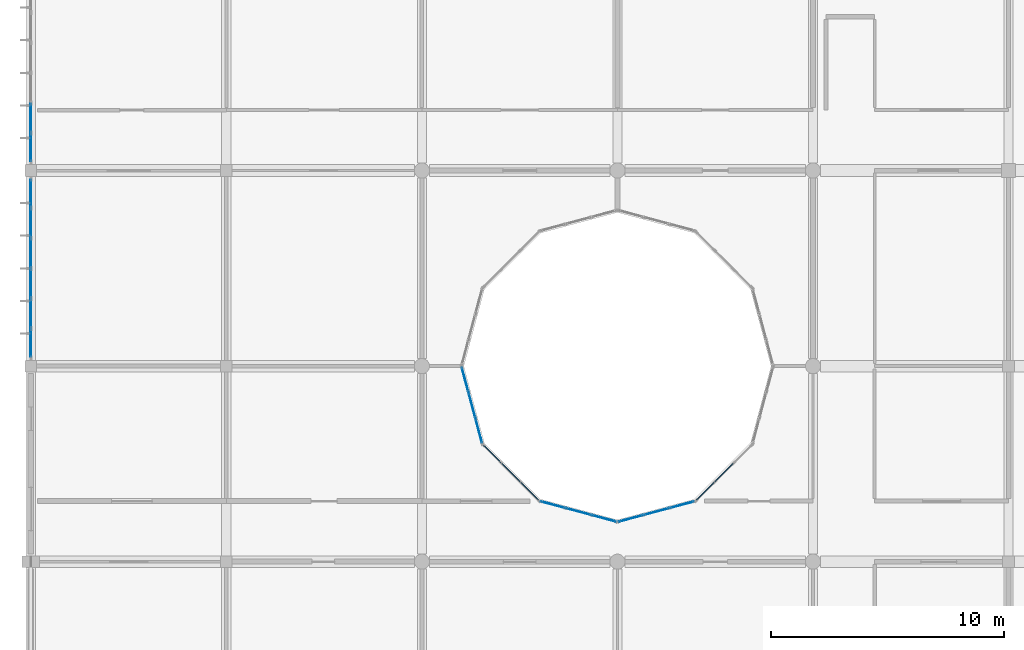
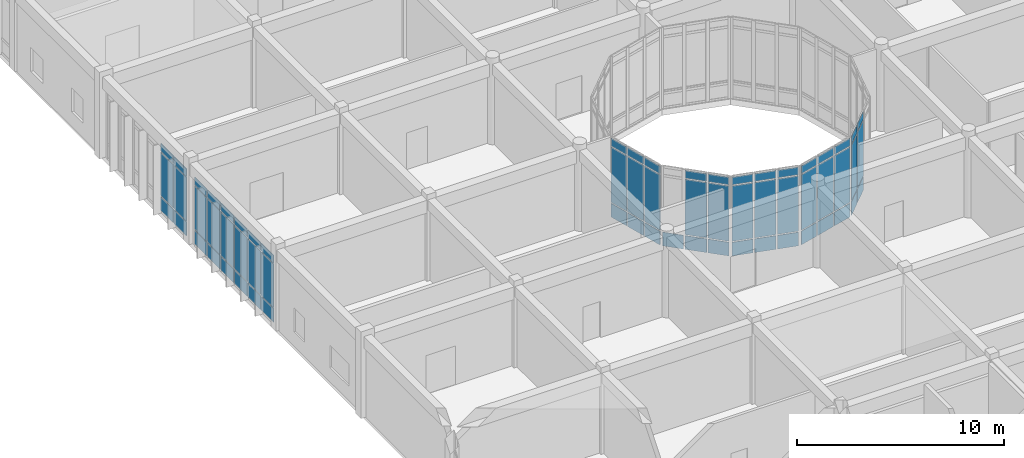
# One storey, part 74 of 134: 64 plates, 7 elements without a shape of their own.
"""IFC4 building model written with IfcOpenShell, lengths in metres."""

import ifcopenshell
import ifcopenshell.guid

model = None  # the IFC model being written
_history = None  # IfcOwnerHistory: only IFC2X3 demands one
_inside = {}  # id of a spatial element -> (the spatial element, [elements in it])
_under = {}  # id of a project, library or spatial element -> (it, [spatial elements below it])
_declared = {}  # id of a project -> (the project, [libraries it declares])
_typed = {}  # id of a type object -> (the type object, [elements of that type])
_made_of = {}  # id of a material, layer set ... -> (it, [elements and type objects made of it])


def new_model(schema):
    """Start an empty IFC model of exactly this schema.

    Asked for "IFC4X3", IfcOpenShell would pick the latest addendum, in which some entities
    have other attributes; the version numbers below select the first issue.
    IFC2X3 requires an IfcOwnerHistory on every rooted entity: one is made here for all.
    """
    global model, _history
    if schema == "IFC4X3":
        model = ifcopenshell.file(schema_version=(4, 3, 0, 0))
    else:
        model = ifcopenshell.file(schema=schema)
    _inside.clear()
    _under.clear()
    _declared.clear()
    _typed.clear()
    _made_of.clear()
    _history = None
    if model.schema == "IFC2X3":
        org = make("IfcOrganization", Name="unknown")
        user = make(
            "IfcPersonAndOrganization",
            ThePerson=make("IfcPerson", FamilyName="unknown"),
            TheOrganization=org,
        )
        app = make(
            "IfcApplication",
            ApplicationDeveloper=org,
            Version="unknown",
            ApplicationFullName="unknown",
            ApplicationIdentifier="unknown",
        )
        _history = make(
            "IfcOwnerHistory",
            OwningUser=user,
            OwningApplication=app,
            ChangeAction="ADDED",
            CreationDate=0,
        )
    return model


def make(cls, **values):
    """One entity of the class cls with the attributes given. An attribute that is None is left unset."""
    return model.create_entity(
        cls, **{name: value for name, value in values.items() if value is not None}
    )


def rooted(cls, **values):
    """An entity with a GlobalId (a new one), such as an element, a storey or a relation."""
    return make(cls, GlobalId=ifcopenshell.guid.new(), OwnerHistory=_history, **values)


def si_unit(unit_type, name, prefix=None):
    """IfcSIUnit, for example si_unit("LENGTHUNIT", "METRE", prefix="MILLI")."""
    return make("IfcSIUnit", UnitType=unit_type, Prefix=prefix, Name=name)


def assignment(units):
    """IfcUnitAssignment: the units of a project."""
    return None if units is None else make("IfcUnitAssignment", Units=units)


def point(xyz):
    """IfcCartesianPoint."""
    return None if xyz is None else make("IfcCartesianPoint", Coordinates=xyz)


def direction(xyz):
    """IfcDirection."""
    return None if xyz is None else make("IfcDirection", DirectionRatios=xyz)


def frame(location, z_axis=None, x_axis=None):
    """IfcAxis2Placement3D, a coordinate frame: its origin and axes. An axis left out is left unset."""
    return make(
        "IfcAxis2Placement3D",
        Location=point(location),
        Axis=direction(z_axis),
        RefDirection=direction(x_axis),
    )


def frame_2d(location, x_axis=None):
    """IfcAxis2Placement2D, a coordinate frame in the plane: its origin and x axis."""
    return make(
        "IfcAxis2Placement2D", Location=point(location), RefDirection=direction(x_axis)
    )


def origin():
    """The frame at (0, 0, 0) with its axes left unset."""
    return frame((0.0, 0.0, 0.0))


def origin_2d():
    """The frame at (0, 0) in the plane with its x axis left unset."""
    return frame_2d((0.0, 0.0))


def place(relative_to, where):
    """IfcLocalPlacement: puts the frame where relative to a parent placement (None: the world)."""
    return make(
        "IfcLocalPlacement", PlacementRelTo=relative_to, RelativePlacement=where
    )


def context(
    kind, dimensions, precision=None, world=None, true_north=None, identifier=None
):
    """IfcGeometricRepresentationContext, for example the 3D "Model" context."""
    return make(
        "IfcGeometricRepresentationContext",
        ContextIdentifier=identifier,
        ContextType=kind,
        CoordinateSpaceDimension=dimensions,
        Precision=precision,
        WorldCoordinateSystem=world,
        TrueNorth=true_north,
    )


def subcontext(parent, identifier, kind, view, scale=None):
    """IfcGeometricRepresentationSubContext, for example "Body" below "Model"."""
    return make(
        "IfcGeometricRepresentationSubContext",
        ContextIdentifier=identifier,
        ContextType=kind,
        ParentContext=parent,
        TargetScale=scale,
        TargetView=view,
    )


def project(units=None, contexts=None):
    """IfcProject with its units and contexts."""
    return rooted(
        "IfcProject",
        Name="project",
        RepresentationContexts=contexts,
        UnitsInContext=assignment(units),
    )


def spatial(cls, under=None, at=None, **own):
    """A site, building, storey or space (cls), placed at a placement, below another one or the project."""
    s = rooted(cls, ObjectPlacement=at, **own)
    if under is not None:
        _under.setdefault(under.id(), (under, []))[1].append(s)
    return s


def profile(cls, at=None, kind="AREA", **sizes):
    """A parametric profile (cls). Its sizes go by their IFC names, for example OverallWidth=200.0."""
    return make(cls, ProfileType=kind, Position=at, **sizes)


def rectangle(**sizes):
    """IfcRectangleProfileDef."""
    return profile("IfcRectangleProfileDef", **sizes)


def extrude(swept, where, along, depth):
    """IfcExtrudedAreaSolid: the profile swept, set in the frame where, extruded along a direction by depth."""
    return make(
        "IfcExtrudedAreaSolid",
        SweptArea=swept,
        Position=where,
        ExtrudedDirection=direction(along),
        Depth=depth,
    )


def shape(context_of_items, identifier, shape_type, items):
    """IfcShapeRepresentation: the items that make up one representation, for example the "Body"."""
    return make(
        "IfcShapeRepresentation",
        ContextOfItems=context_of_items,
        RepresentationIdentifier=identifier,
        RepresentationType=shape_type,
        Items=items,
    )


def material(Name=None, Category=None):
    """IfcMaterial."""
    return make("IfcMaterial", Name=Name, Category=Category)


def layer(
    of_material, thickness, ventilated=None, Name=None, Category=None, Priority=None
):
    """IfcMaterialLayer: one layer of a wall or slab, of a material (None: an air gap)."""
    return make(
        "IfcMaterialLayer",
        Material=of_material,
        LayerThickness=thickness,
        IsVentilated=ventilated,
        Name=Name,
        Category=Category,
        Priority=Priority,
    )


def layer_set(layers, Name=None):
    """IfcMaterialLayerSet."""
    return make("IfcMaterialLayerSet", MaterialLayers=layers, LayerSetName=Name)


def made_of(thing, what):
    """Note that an element or type object is made of a material, layer set ...; save() writes the relation."""
    if what is not None:
        _made_of.setdefault(what.id(), (what, []))[1].append(thing)
    return thing


def type_object(cls, material=None, **own):
    """A type object (cls), such as IfcWallType, which elements share."""
    return made_of(rooted(cls, **own), material)


def element(
    cls,
    number,
    at=None,
    inside=None,
    cuts=None,
    type_object=None,
    material=None,
    context=None,
    identifier="Body",
    shape_type=None,
    held_by="IfcProductDefinitionShape",
    body=None,
    shapes=None,
    **own,
):
    """One element of the class cls, such as IfcWall. Its Tag is "e" and its number.

    at: its placement. inside: the storey or other place that contains it. cuts: it is an
    opening in that element (IfcRelVoidsElement). A single representation is given by context,
    identifier, shape_type and body (its items); several are given by shapes. held_by: the class
    of the entity that holds the representations. save() writes the other relations.
    """
    e = rooted(cls, Tag="e%d" % number, ObjectPlacement=at, **own)
    if body is not None:
        shapes = [shape(context, identifier, shape_type, body)]
    if shapes is not None:
        e.Representation = make(held_by, Representations=shapes)
    if inside is not None:
        _inside.setdefault(inside.id(), (inside, []))[1].append(e)
    if cuts is not None:
        rooted(
            "IfcRelVoidsElement", RelatingBuildingElement=cuts, RelatedOpeningElement=e
        )
    if type_object is not None:
        _typed.setdefault(type_object.id(), (type_object, []))[1].append(e)
    return made_of(e, material)


def aggregate(whole, parts):
    """IfcRelAggregates: a whole, such as a stair, and the parts it consists of."""
    return rooted("IfcRelAggregates", RelatingObject=whole, RelatedObjects=parts)


def save(model, path):
    """Write the relations noted so far, then the file.

    IfcRelAggregates (storeys below a building ...), IfcRelContainedInSpatialStructure (elements
    in a storey), IfcRelDefinesByType, IfcRelAssociatesMaterial and IfcRelDeclares: one each for
    every whole, place, type object, material and project.
    """
    for whole, parts in _under.values():
        aggregate(whole, parts)
    for where, things in _inside.values():
        rooted(
            "IfcRelContainedInSpatialStructure",
            RelatedElements=things,
            RelatingStructure=where,
        )
    for kind, things in _typed.values():
        rooted("IfcRelDefinesByType", RelatedObjects=things, RelatingType=kind)
    for what, things in _made_of.values():
        rooted("IfcRelAssociatesMaterial", RelatedObjects=things, RelatingMaterial=what)
    for by, libraries in _declared.values():
        rooted("IfcRelDeclares", RelatingContext=by, RelatedDefinitions=libraries)
    model.write(path)


model = new_model("IFC4")

# Units and contexts
model_context = context("Model", 3, precision=1e-05, world=origin(), true_north=direction((0.0, 1.0)))
body_context = subcontext(model_context, "Body", "Model", "MODEL_VIEW")
ifc_project = project(units=[si_unit("LENGTHUNIT", "METRE"), si_unit("AREAUNIT", "SQUARE_METRE"), si_unit("VOLUMEUNIT", "CUBIC_METRE"), si_unit("PLANEANGLEUNIT", "RADIAN"), si_unit("MASSUNIT", "GRAM", prefix="KILO")], contexts=[model_context])

# Site, building, storey
site_placement = place(None, origin())
site = spatial("IfcSite", under=ifc_project, at=site_placement, CompositionType="ELEMENT")
building_placement = place(site_placement, origin())
building = spatial("IfcBuilding", under=site, at=building_placement, Name="Bramfleet General Hospital", CompositionType="ELEMENT")
storey_placement = place(building_placement, frame((0.0, 0.0, 9.300048828125)))
storey = spatial("IfcBuildingStorey", under=building, at=storey_placement, Name="L02", CompositionType="ELEMENT", Elevation=9.300048828125)

# Curtain wall, plates
ifc_material_1 = material(Name="Anodised aluminium and low-E triple glazing", Category="aluminium")
ifc_layer_1 = layer(ifc_material_1, 0.179931640625, Name="CWT-CW-13")
ifc_layer_set_1 = layer_set([ifc_layer_1], Name="Anodised aluminium and low-E triple glazing")
curtain_wall_type_1 = type_object("IfcCurtainWallType", Name="CWT-CW-13", PredefinedType="USERDEFINED", material=ifc_layer_set_1)
curtain_wall_1_placement = place(storey_placement, origin())
curtain_wall_1 = element("IfcCurtainWall", 1, at=curtain_wall_1_placement, inside=storey, type_object=curtain_wall_type_1, Name="L02 West Clinical Light Court Curtain Wall 1.1", ObjectType="Stick curtain wall", PredefinedType="USERDEFINED")
ifc_material_2 = material(Name="Low-E laminated safety glass", Category="glass")
ifc_layer_2 = layer(ifc_material_2, 0.031982421875, Name="CWP-GLZ-2")
ifc_layer_set_2 = layer_set([ifc_layer_2], Name="Low-E laminated safety glass")
plate_type_1 = type_object("IfcPlateType", Name="CWP-GLZ-2", PredefinedType="CURTAIN_PANEL", material=ifc_layer_set_2)
plate_1_placement = place(storey_placement, frame((18.654296875, 83.4248046875, 0.06494140625), z_axis=(0.0, 0.0, 1.0), x_axis=(0.25891863407, -0.965899136003, 0.0)))
plate_1 = element("IfcPlate", 2, at=plate_1_placement, type_object=plate_type_1, Name="CW-13 panel 1.1", PredefinedType="CURTAIN_PANEL", context=body_context, shape_type="SweptSolid", body=[
    extrude(rectangle(XDim=1.051025390625, YDim=0.031982421875, at=origin_2d()), origin(), (0.0, 0.0, 1.0), 0.802490234375),
])
plate_2_placement = place(storey_placement, frame((18.654296875, 83.4248046875, 0.9326171875), z_axis=(0.0, 0.0, 1.0), x_axis=(0.25891863407, -0.965899136003, 0.0)))
plate_2 = element("IfcPlate", 3, at=plate_2_placement, type_object=plate_type_1, Name="CW-13 panel 1.2", PredefinedType="CURTAIN_PANEL", context=body_context, shape_type="SweptSolid", body=[
    extrude(rectangle(XDim=1.051025390625, YDim=0.031982421875, at=origin_2d()), origin(), (0.0, 0.0, 1.0), 3.2548828125),
])
plate_3_placement = place(storey_placement, frame((18.654296875, 83.4248046875, 4.25244140625), z_axis=(0.0, 0.0, 1.0), x_axis=(0.25891863407, -0.965899136003, 0.0)))
plate_3 = element("IfcPlate", 4, at=plate_3_placement, type_object=plate_type_1, Name="CW-13 panel 1.3", PredefinedType="CURTAIN_PANEL", context=body_context, shape_type="SweptSolid", body=[
    extrude(rectangle(XDim=1.051025390625, YDim=0.031982421875, at=origin_2d()), origin(), (0.0, 0.0, 1.0), 0.452392578125),
])
plate_4_placement = place(storey_placement, frame((18.948974609375, 82.324951171875, 0.06494140625), z_axis=(0.0, 0.0, 1.0), x_axis=(0.25891863407, -0.965899136003, 0.0)))
plate_4 = element("IfcPlate", 5, at=plate_4_placement, type_object=plate_type_1, Name="CW-13 panel 2.1", PredefinedType="CURTAIN_PANEL", context=body_context, shape_type="SweptSolid", body=[
    extrude(rectangle(XDim=1.086181640625, YDim=0.031982421875, at=origin_2d()), origin(), (0.0, 0.0, 1.0), 0.802490234375),
])
plate_5_placement = place(storey_placement, frame((18.948974609375, 82.324951171875, 0.9326171875), z_axis=(0.0, 0.0, 1.0), x_axis=(0.25891863407, -0.965899136003, 0.0)))
plate_5 = element("IfcPlate", 6, at=plate_5_placement, type_object=plate_type_1, Name="CW-13 panel 2.2", PredefinedType="CURTAIN_PANEL", context=body_context, shape_type="SweptSolid", body=[
    extrude(rectangle(XDim=1.086181640625, YDim=0.031982421875, at=origin_2d()), origin(), (0.0, 0.0, 1.0), 3.2548828125),
])
plate_6_placement = place(storey_placement, frame((18.948974609375, 82.324951171875, 4.25244140625), z_axis=(0.0, 0.0, 1.0), x_axis=(0.25891863407, -0.965899136003, 0.0)))
plate_6 = element("IfcPlate", 7, at=plate_6_placement, type_object=plate_type_1, Name="CW-13 panel 2.3", PredefinedType="CURTAIN_PANEL", context=body_context, shape_type="SweptSolid", body=[
    extrude(rectangle(XDim=1.086181640625, YDim=0.031982421875, at=origin_2d()), origin(), (0.0, 0.0, 1.0), 0.452392578125),
])
plate_7_placement = place(storey_placement, frame((19.243896484375, 81.225341796875, 0.06494140625), z_axis=(0.0, 0.0, 1.0), x_axis=(0.25891863407, -0.965899136003, 0.0)))
plate_7 = element("IfcPlate", 8, at=plate_7_placement, type_object=plate_type_1, Name="CW-13 panel 3.1", PredefinedType="CURTAIN_PANEL", context=body_context, shape_type="SweptSolid", body=[
    extrude(rectangle(XDim=1.051025390625, YDim=0.031982421875, at=origin_2d()), origin(), (0.0, 0.0, 1.0), 0.802490234375),
])
plate_8_placement = place(storey_placement, frame((19.243896484375, 81.225341796875, 0.9326171875), z_axis=(0.0, 0.0, 1.0), x_axis=(0.25891863407, -0.965899136003, 0.0)))
plate_8 = element("IfcPlate", 9, at=plate_8_placement, type_object=plate_type_1, Name="CW-13 panel 3.2", PredefinedType="CURTAIN_PANEL", context=body_context, shape_type="SweptSolid", body=[
    extrude(rectangle(XDim=1.051025390625, YDim=0.031982421875, at=origin_2d()), origin(), (0.0, 0.0, 1.0), 3.2548828125),
])
plate_9_placement = place(storey_placement, frame((19.243896484375, 81.225341796875, 4.25244140625), z_axis=(0.0, 0.0, 1.0), x_axis=(0.25891863407, -0.965899136003, 0.0)))
plate_9 = element("IfcPlate", 10, at=plate_9_placement, type_object=plate_type_1, Name="CW-13 panel 3.3", PredefinedType="CURTAIN_PANEL", context=body_context, shape_type="SweptSolid", body=[
    extrude(rectangle(XDim=1.051025390625, YDim=0.031982421875, at=origin_2d()), origin(), (0.0, 0.0, 1.0), 0.452392578125),
])
aggregate(curtain_wall_1, [plate_1, plate_2, plate_3, plate_4, plate_5, plate_6, plate_7, plate_8, plate_9])

ifc_layer_3 = layer(ifc_material_1, 0.179931640625, Name="CWT-CW-14")
ifc_layer_set_3 = layer_set([ifc_layer_3], Name="Anodised aluminium and low-E triple glazing")
curtain_wall_type_2 = type_object("IfcCurtainWallType", Name="CWT-CW-14", PredefinedType="USERDEFINED", material=ifc_layer_set_3)
curtain_wall_2_placement = place(storey_placement, origin())
curtain_wall_2 = element("IfcCurtainWall", 11, at=curtain_wall_2_placement, inside=storey, type_object=curtain_wall_type_2, Name="L02 West Clinical Light Court Curtain Wall 2.1", ObjectType="Stick curtain wall", PredefinedType="USERDEFINED")
plate_10_placement = place(storey_placement, frame((19.819091796875, 80.22900390625, 0.06494140625), z_axis=(0.0, 0.0, 1.0), x_axis=(0.707106781187, -0.707106781187, 0.0)))
plate_10 = element("IfcPlate", 12, at=plate_10_placement, type_object=plate_type_1, Name="CW-14 panel 1.1", PredefinedType="CURTAIN_PANEL", context=body_context, shape_type="SweptSolid", body=[
    extrude(rectangle(XDim=1.05078125, YDim=0.031982421875, at=origin_2d()), origin(), (0.0, 0.0, 1.0), 0.802490234375),
])
plate_11_placement = place(storey_placement, frame((20.6240234375, 79.424072265625, 0.06494140625), z_axis=(0.0, 0.0, 1.0), x_axis=(0.707106781187, -0.707106781187, 0.0)))
plate_11 = element("IfcPlate", 13, at=plate_11_placement, type_object=plate_type_1, Name="CW-14 panel 2.1", PredefinedType="CURTAIN_PANEL", context=body_context, shape_type="SweptSolid", body=[
    extrude(rectangle(XDim=1.0859375, YDim=0.031982421875, at=origin_2d()), origin(), (0.0, 0.0, 1.0), 0.802490234375),
])
plate_12_placement = place(storey_placement, frame((20.6240234375, 79.424072265625, 0.9326171875), z_axis=(0.0, 0.0, 1.0), x_axis=(0.707106781187, -0.707106781187, 0.0)))
plate_12 = element("IfcPlate", 14, at=plate_12_placement, type_object=plate_type_1, Name="CW-14 panel 2.2", PredefinedType="CURTAIN_PANEL", context=body_context, shape_type="SweptSolid", body=[
    extrude(rectangle(XDim=1.0859375, YDim=0.031982421875, at=origin_2d()), origin(), (0.0, 0.0, 1.0), 3.2548828125),
])
plate_13_placement = place(storey_placement, frame((20.6240234375, 79.424072265625, 4.25244140625), z_axis=(0.0, 0.0, 1.0), x_axis=(0.707106781187, -0.707106781187, 0.0)))
plate_13 = element("IfcPlate", 15, at=plate_13_placement, type_object=plate_type_1, Name="CW-14 panel 2.3", PredefinedType="CURTAIN_PANEL", context=body_context, shape_type="SweptSolid", body=[
    extrude(rectangle(XDim=1.0859375, YDim=0.031982421875, at=origin_2d()), origin(), (0.0, 0.0, 1.0), 0.452392578125),
])
plate_14_placement = place(storey_placement, frame((21.428955078125, 78.619140625, 0.06494140625), z_axis=(0.0, 0.0, 1.0), x_axis=(0.707106781187, -0.707106781187, 0.0)))
plate_14 = element("IfcPlate", 16, at=plate_14_placement, type_object=plate_type_1, Name="CW-14 panel 3.1", PredefinedType="CURTAIN_PANEL", context=body_context, shape_type="SweptSolid", body=[
    extrude(rectangle(XDim=1.05078125, YDim=0.031982421875, at=origin_2d()), origin(), (0.0, 0.0, 1.0), 0.802490234375),
])
plate_15_placement = place(storey_placement, frame((21.428955078125, 78.619140625, 0.9326171875), z_axis=(0.0, 0.0, 1.0), x_axis=(0.707106781187, -0.707106781187, 0.0)))
plate_15 = element("IfcPlate", 17, at=plate_15_placement, type_object=plate_type_1, Name="CW-14 panel 3.2", PredefinedType="CURTAIN_PANEL", context=body_context, shape_type="SweptSolid", body=[
    extrude(rectangle(XDim=1.05078125, YDim=0.031982421875, at=origin_2d()), origin(), (0.0, 0.0, 1.0), 3.2548828125),
])
plate_16_placement = place(storey_placement, frame((21.428955078125, 78.619140625, 4.25244140625), z_axis=(0.0, 0.0, 1.0), x_axis=(0.707106781187, -0.707106781187, 0.0)))
plate_16 = element("IfcPlate", 18, at=plate_16_placement, type_object=plate_type_1, Name="CW-14 panel 3.3", PredefinedType="CURTAIN_PANEL", context=body_context, shape_type="SweptSolid", body=[
    extrude(rectangle(XDim=1.05078125, YDim=0.031982421875, at=origin_2d()), origin(), (0.0, 0.0, 1.0), 0.452392578125),
])
aggregate(curtain_wall_2, [plate_10, plate_11, plate_12, plate_13, plate_14, plate_15, plate_16])

ifc_layer_4 = layer(ifc_material_1, 0.179931640625, Name="CWT-CW-15")
ifc_layer_set_4 = layer_set([ifc_layer_4], Name="Anodised aluminium and low-E triple glazing")
curtain_wall_type_3 = type_object("IfcCurtainWallType", Name="CWT-CW-15", PredefinedType="USERDEFINED", material=ifc_layer_set_4)
curtain_wall_3_placement = place(storey_placement, origin())
curtain_wall_3 = element("IfcCurtainWall", 19, at=curtain_wall_3_placement, inside=storey, type_object=curtain_wall_type_3, Name="L02 West Clinical Light Court Curtain Wall 3.1", ObjectType="Stick curtain wall", PredefinedType="USERDEFINED")
plate_17_placement = place(storey_placement, frame((22.42529296875, 78.043701171875, 0.06494140625), z_axis=(0.0, 0.0, 1.0), x_axis=(0.965899136003, -0.25891863407, 0.0)))
plate_17 = element("IfcPlate", 20, at=plate_17_placement, type_object=plate_type_1, Name="CW-15 panel 1.1", PredefinedType="CURTAIN_PANEL", context=body_context, shape_type="SweptSolid", body=[
    extrude(rectangle(XDim=1.051025390625, YDim=0.031982421875, at=origin_2d()), origin(), (0.0, 0.0, 1.0), 0.802490234375),
])
plate_18_placement = place(storey_placement, frame((22.42529296875, 78.043701171875, 0.9326171875), z_axis=(0.0, 0.0, 1.0), x_axis=(0.965899136003, -0.25891863407, 0.0)))
plate_18 = element("IfcPlate", 21, at=plate_18_placement, type_object=plate_type_1, Name="CW-15 panel 1.2", PredefinedType="CURTAIN_PANEL", context=body_context, shape_type="SweptSolid", body=[
    extrude(rectangle(XDim=1.051025390625, YDim=0.031982421875, at=origin_2d()), origin(), (0.0, 0.0, 1.0), 3.2548828125),
])
plate_19_placement = place(storey_placement, frame((22.42529296875, 78.043701171875, 4.25244140625), z_axis=(0.0, 0.0, 1.0), x_axis=(0.965899136003, -0.25891863407, 0.0)))
plate_19 = element("IfcPlate", 22, at=plate_19_placement, type_object=plate_type_1, Name="CW-15 panel 1.3", PredefinedType="CURTAIN_PANEL", context=body_context, shape_type="SweptSolid", body=[
    extrude(rectangle(XDim=1.051025390625, YDim=0.031982421875, at=origin_2d()), origin(), (0.0, 0.0, 1.0), 0.452392578125),
])
plate_20_placement = place(storey_placement, frame((23.52490234375, 77.7490234375, 0.06494140625), z_axis=(0.0, 0.0, 1.0), x_axis=(0.965899136003, -0.25891863407, 0.0)))
plate_20 = element("IfcPlate", 23, at=plate_20_placement, type_object=plate_type_1, Name="CW-15 panel 2.1", PredefinedType="CURTAIN_PANEL", context=body_context, shape_type="SweptSolid", body=[
    extrude(rectangle(XDim=1.086181640625, YDim=0.031982421875, at=origin_2d()), origin(), (0.0, 0.0, 1.0), 0.802490234375),
])
plate_21_placement = place(storey_placement, frame((23.52490234375, 77.7490234375, 0.9326171875), z_axis=(0.0, 0.0, 1.0), x_axis=(0.965899136003, -0.25891863407, 0.0)))
plate_21 = element("IfcPlate", 24, at=plate_21_placement, type_object=plate_type_1, Name="CW-15 panel 2.2", PredefinedType="CURTAIN_PANEL", context=body_context, shape_type="SweptSolid", body=[
    extrude(rectangle(XDim=1.086181640625, YDim=0.031982421875, at=origin_2d()), origin(), (0.0, 0.0, 1.0), 3.2548828125),
])
plate_22_placement = place(storey_placement, frame((23.52490234375, 77.7490234375, 4.25244140625), z_axis=(0.0, 0.0, 1.0), x_axis=(0.965899136003, -0.25891863407, 0.0)))
plate_22 = element("IfcPlate", 25, at=plate_22_placement, type_object=plate_type_1, Name="CW-15 panel 2.3", PredefinedType="CURTAIN_PANEL", context=body_context, shape_type="SweptSolid", body=[
    extrude(rectangle(XDim=1.086181640625, YDim=0.031982421875, at=origin_2d()), origin(), (0.0, 0.0, 1.0), 0.452392578125),
])
plate_23_placement = place(storey_placement, frame((24.624755859375, 77.4541015625, 0.06494140625), z_axis=(0.0, 0.0, 1.0), x_axis=(0.965899136003, -0.25891863407, 0.0)))
plate_23 = element("IfcPlate", 26, at=plate_23_placement, type_object=plate_type_1, Name="CW-15 panel 3.1", PredefinedType="CURTAIN_PANEL", context=body_context, shape_type="SweptSolid", body=[
    extrude(rectangle(XDim=1.051025390625, YDim=0.031982421875, at=origin_2d()), origin(), (0.0, 0.0, 1.0), 0.802490234375),
])
plate_24_placement = place(storey_placement, frame((24.624755859375, 77.4541015625, 0.9326171875), z_axis=(0.0, 0.0, 1.0), x_axis=(0.965899136003, -0.25891863407, 0.0)))
plate_24 = element("IfcPlate", 27, at=plate_24_placement, type_object=plate_type_1, Name="CW-15 panel 3.2", PredefinedType="CURTAIN_PANEL", context=body_context, shape_type="SweptSolid", body=[
    extrude(rectangle(XDim=1.051025390625, YDim=0.031982421875, at=origin_2d()), origin(), (0.0, 0.0, 1.0), 3.2548828125),
])
plate_25_placement = place(storey_placement, frame((24.624755859375, 77.4541015625, 4.25244140625), z_axis=(0.0, 0.0, 1.0), x_axis=(0.965899136003, -0.25891863407, 0.0)))
plate_25 = element("IfcPlate", 28, at=plate_25_placement, type_object=plate_type_1, Name="CW-15 panel 3.3", PredefinedType="CURTAIN_PANEL", context=body_context, shape_type="SweptSolid", body=[
    extrude(rectangle(XDim=1.051025390625, YDim=0.031982421875, at=origin_2d()), origin(), (0.0, 0.0, 1.0), 0.452392578125),
])
aggregate(curtain_wall_3, [plate_17, plate_18, plate_19, plate_20, plate_21, plate_22, plate_23, plate_24, plate_25])

ifc_layer_5 = layer(ifc_material_1, 0.179931640625, Name="CWT-CW-16")
ifc_layer_set_5 = layer_set([ifc_layer_5], Name="Anodised aluminium and low-E triple glazing")
curtain_wall_type_4 = type_object("IfcCurtainWallType", Name="CWT-CW-16", PredefinedType="USERDEFINED", material=ifc_layer_set_5)
curtain_wall_4_placement = place(storey_placement, origin())
curtain_wall_4 = element("IfcCurtainWall", 29, at=curtain_wall_4_placement, inside=storey, type_object=curtain_wall_type_4, Name="L02 West Clinical Light Court Curtain Wall 4.1", ObjectType="Stick curtain wall", PredefinedType="USERDEFINED")
plate_26_placement = place(storey_placement, frame((25.775146484375, 77.4541015625, 0.06494140625), z_axis=(0.0, 0.0, 1.0), x_axis=(0.965899136003, 0.25891863407, 0.0)))
plate_26 = element("IfcPlate", 30, at=plate_26_placement, type_object=plate_type_1, Name="CW-16 panel 1.1", PredefinedType="CURTAIN_PANEL", context=body_context, shape_type="SweptSolid", body=[
    extrude(rectangle(XDim=1.051025390625, YDim=0.031982421875, at=origin_2d()), origin(), (0.0, 0.0, 1.0), 0.802490234375),
])
plate_27_placement = place(storey_placement, frame((25.775146484375, 77.4541015625, 0.9326171875), z_axis=(0.0, 0.0, 1.0), x_axis=(0.965899136003, 0.25891863407, 0.0)))
plate_27 = element("IfcPlate", 31, at=plate_27_placement, type_object=plate_type_1, Name="CW-16 panel 1.2", PredefinedType="CURTAIN_PANEL", context=body_context, shape_type="SweptSolid", body=[
    extrude(rectangle(XDim=1.051025390625, YDim=0.031982421875, at=origin_2d()), origin(), (0.0, 0.0, 1.0), 3.2548828125),
])
plate_28_placement = place(storey_placement, frame((25.775146484375, 77.4541015625, 4.25244140625), z_axis=(0.0, 0.0, 1.0), x_axis=(0.965899136003, 0.25891863407, 0.0)))
plate_28 = element("IfcPlate", 32, at=plate_28_placement, type_object=plate_type_1, Name="CW-16 panel 1.3", PredefinedType="CURTAIN_PANEL", context=body_context, shape_type="SweptSolid", body=[
    extrude(rectangle(XDim=1.051025390625, YDim=0.031982421875, at=origin_2d()), origin(), (0.0, 0.0, 1.0), 0.452392578125),
])
plate_29_placement = place(storey_placement, frame((26.875, 77.7490234375, 0.06494140625), z_axis=(0.0, 0.0, 1.0), x_axis=(0.965899136003, 0.25891863407, 0.0)))
plate_29 = element("IfcPlate", 33, at=plate_29_placement, type_object=plate_type_1, Name="CW-16 panel 2.1", PredefinedType="CURTAIN_PANEL", context=body_context, shape_type="SweptSolid", body=[
    extrude(rectangle(XDim=1.086181640625, YDim=0.031982421875, at=origin_2d()), origin(), (0.0, 0.0, 1.0), 0.802490234375),
])
plate_30_placement = place(storey_placement, frame((26.875, 77.7490234375, 0.9326171875), z_axis=(0.0, 0.0, 1.0), x_axis=(0.965899136003, 0.25891863407, 0.0)))
plate_30 = element("IfcPlate", 34, at=plate_30_placement, type_object=plate_type_1, Name="CW-16 panel 2.2", PredefinedType="CURTAIN_PANEL", context=body_context, shape_type="SweptSolid", body=[
    extrude(rectangle(XDim=1.086181640625, YDim=0.031982421875, at=origin_2d()), origin(), (0.0, 0.0, 1.0), 3.2548828125),
])
plate_31_placement = place(storey_placement, frame((26.875, 77.7490234375, 4.25244140625), z_axis=(0.0, 0.0, 1.0), x_axis=(0.965899136003, 0.25891863407, 0.0)))
plate_31 = element("IfcPlate", 35, at=plate_31_placement, type_object=plate_type_1, Name="CW-16 panel 2.3", PredefinedType="CURTAIN_PANEL", context=body_context, shape_type="SweptSolid", body=[
    extrude(rectangle(XDim=1.086181640625, YDim=0.031982421875, at=origin_2d()), origin(), (0.0, 0.0, 1.0), 0.452392578125),
])
plate_32_placement = place(storey_placement, frame((27.974853515625, 78.043701171875, 0.06494140625), z_axis=(0.0, 0.0, 1.0), x_axis=(0.965899136003, 0.25891863407, 0.0)))
plate_32 = element("IfcPlate", 36, at=plate_32_placement, type_object=plate_type_1, Name="CW-16 panel 3.1", PredefinedType="CURTAIN_PANEL", context=body_context, shape_type="SweptSolid", body=[
    extrude(rectangle(XDim=1.051025390625, YDim=0.031982421875, at=origin_2d()), origin(), (0.0, 0.0, 1.0), 0.802490234375),
])
plate_33_placement = place(storey_placement, frame((27.974853515625, 78.043701171875, 0.9326171875), z_axis=(0.0, 0.0, 1.0), x_axis=(0.965899136003, 0.25891863407, 0.0)))
plate_33 = element("IfcPlate", 37, at=plate_33_placement, type_object=plate_type_1, Name="CW-16 panel 3.2", PredefinedType="CURTAIN_PANEL", context=body_context, shape_type="SweptSolid", body=[
    extrude(rectangle(XDim=1.051025390625, YDim=0.031982421875, at=origin_2d()), origin(), (0.0, 0.0, 1.0), 3.2548828125),
])
plate_34_placement = place(storey_placement, frame((27.974853515625, 78.043701171875, 4.25244140625), z_axis=(0.0, 0.0, 1.0), x_axis=(0.965899136003, 0.25891863407, 0.0)))
plate_34 = element("IfcPlate", 38, at=plate_34_placement, type_object=plate_type_1, Name="CW-16 panel 3.3", PredefinedType="CURTAIN_PANEL", context=body_context, shape_type="SweptSolid", body=[
    extrude(rectangle(XDim=1.051025390625, YDim=0.031982421875, at=origin_2d()), origin(), (0.0, 0.0, 1.0), 0.452392578125),
])
aggregate(curtain_wall_4, [plate_26, plate_27, plate_28, plate_29, plate_30, plate_31, plate_32, plate_33, plate_34])

ifc_layer_6 = layer(ifc_material_1, 0.179931640625, Name="CWT-CW-17")
ifc_layer_set_6 = layer_set([ifc_layer_6], Name="Anodised aluminium and low-E triple glazing")
curtain_wall_type_5 = type_object("IfcCurtainWallType", Name="CWT-CW-17", PredefinedType="USERDEFINED", material=ifc_layer_set_6)
curtain_wall_5_placement = place(storey_placement, origin())
curtain_wall_5 = element("IfcCurtainWall", 39, at=curtain_wall_5_placement, inside=storey, type_object=curtain_wall_type_5, Name="L02 West Clinical Light Court Curtain Wall 5.1", ObjectType="Stick curtain wall", PredefinedType="USERDEFINED")
plate_35_placement = place(storey_placement, frame((28.970947265625, 78.619140625, 0.06494140625), z_axis=(0.0, 0.0, 1.0), x_axis=(0.707106781187, 0.707106781187, 0.0)))
plate_35 = element("IfcPlate", 40, at=plate_35_placement, type_object=plate_type_1, Name="CW-17 panel 1.1", PredefinedType="CURTAIN_PANEL", context=body_context, shape_type="SweptSolid", body=[
    extrude(rectangle(XDim=1.05078125, YDim=0.031982421875, at=origin_2d()), origin(), (0.0, 0.0, 1.0), 0.802490234375),
])
plate_36_placement = place(storey_placement, frame((28.970947265625, 78.619140625, 0.9326171875), z_axis=(0.0, 0.0, 1.0), x_axis=(0.707106781187, 0.707106781187, 0.0)))
plate_36 = element("IfcPlate", 41, at=plate_36_placement, type_object=plate_type_1, Name="CW-17 panel 1.2", PredefinedType="CURTAIN_PANEL", context=body_context, shape_type="SweptSolid", body=[
    extrude(rectangle(XDim=1.05078125, YDim=0.031982421875, at=origin_2d()), origin(), (0.0, 0.0, 1.0), 3.2548828125),
])
plate_37_placement = place(storey_placement, frame((28.970947265625, 78.619140625, 4.25244140625), z_axis=(0.0, 0.0, 1.0), x_axis=(0.707106781187, 0.707106781187, 0.0)))
plate_37 = element("IfcPlate", 42, at=plate_37_placement, type_object=plate_type_1, Name="CW-17 panel 1.3", PredefinedType="CURTAIN_PANEL", context=body_context, shape_type="SweptSolid", body=[
    extrude(rectangle(XDim=1.05078125, YDim=0.031982421875, at=origin_2d()), origin(), (0.0, 0.0, 1.0), 0.452392578125),
])
plate_38_placement = place(storey_placement, frame((29.77587890625, 79.424072265625, 0.06494140625), z_axis=(0.0, 0.0, 1.0), x_axis=(0.707106781187, 0.707106781187, 0.0)))
plate_38 = element("IfcPlate", 43, at=plate_38_placement, type_object=plate_type_1, Name="CW-17 panel 2.1", PredefinedType="CURTAIN_PANEL", context=body_context, shape_type="SweptSolid", body=[
    extrude(rectangle(XDim=1.0859375, YDim=0.031982421875, at=origin_2d()), origin(), (0.0, 0.0, 1.0), 0.802490234375),
])
plate_39_placement = place(storey_placement, frame((29.77587890625, 79.424072265625, 0.9326171875), z_axis=(0.0, 0.0, 1.0), x_axis=(0.707106781187, 0.707106781187, 0.0)))
plate_39 = element("IfcPlate", 44, at=plate_39_placement, type_object=plate_type_1, Name="CW-17 panel 2.2", PredefinedType="CURTAIN_PANEL", context=body_context, shape_type="SweptSolid", body=[
    extrude(rectangle(XDim=1.0859375, YDim=0.031982421875, at=origin_2d()), origin(), (0.0, 0.0, 1.0), 3.2548828125),
])
plate_40_placement = place(storey_placement, frame((29.77587890625, 79.424072265625, 4.25244140625), z_axis=(0.0, 0.0, 1.0), x_axis=(0.707106781187, 0.707106781187, 0.0)))
plate_40 = element("IfcPlate", 45, at=plate_40_placement, type_object=plate_type_1, Name="CW-17 panel 2.3", PredefinedType="CURTAIN_PANEL", context=body_context, shape_type="SweptSolid", body=[
    extrude(rectangle(XDim=1.0859375, YDim=0.031982421875, at=origin_2d()), origin(), (0.0, 0.0, 1.0), 0.452392578125),
])
aggregate(curtain_wall_5, [plate_35, plate_36, plate_37, plate_38, plate_39, plate_40])

ifc_layer_7 = layer(ifc_material_1, 0.179931640625, Name="CWT-CW-05")
ifc_layer_set_7 = layer_set([ifc_layer_7], Name="Anodised aluminium and low-E triple glazing")
curtain_wall_type_6 = type_object("IfcCurtainWallType", Name="CWT-CW-05", PredefinedType="USERDEFINED", material=ifc_layer_set_7)
curtain_wall_6_placement = place(storey_placement, origin())
curtain_wall_6 = element("IfcCurtainWall", 46, at=curtain_wall_6_placement, inside=storey, type_object=curtain_wall_type_6, Name="L02 Curtain Wall 95", ObjectType="Unitised curtain wall", PredefinedType="USERDEFINED")
ifc_layer_8 = layer(ifc_material_2, 0.035888671875, Name="CWP-GLZ-3")
ifc_layer_set_8 = layer_set([ifc_layer_8], Name="Low-E laminated safety glass")
plate_type_2 = type_object("IfcPlateType", Name="CWP-GLZ-3", PredefinedType="CURTAIN_PANEL", material=ifc_layer_set_8)
plate_41_placement = place(storey_placement, frame((0.0, 84.98828125, 0.06494140625), z_axis=(0.0, 0.0, 1.0), x_axis=(0.0, 1.0, 0.0)))
plate_41 = element("IfcPlate", 47, at=plate_41_placement, type_object=plate_type_2, Name="CW-05 panel 1.1", PredefinedType="CURTAIN_PANEL", context=body_context, shape_type="SweptSolid", body=[
    extrude(rectangle(XDim=1.186767578125, YDim=0.035888671875, at=origin_2d()), origin(), (0.0, 0.0, 1.0), 0.802490234375),
])
plate_42_placement = place(storey_placement, frame((0.0, 84.98828125, 0.9326171875), z_axis=(0.0, 0.0, 1.0), x_axis=(0.0, 1.0, 0.0)))
plate_42 = element("IfcPlate", 48, at=plate_42_placement, type_object=plate_type_2, Name="CW-05 panel 1.2", PredefinedType="CURTAIN_PANEL", context=body_context, shape_type="SweptSolid", body=[
    extrude(rectangle(XDim=1.186767578125, YDim=0.035888671875, at=origin_2d()), origin(), (0.0, 0.0, 1.0), 2.554931640625),
])
plate_43_placement = place(storey_placement, frame((0.0, 84.98828125, 3.552734375), z_axis=(0.0, 0.0, 1.0), x_axis=(0.0, 1.0, 0.0)))
plate_43 = element("IfcPlate", 49, at=plate_43_placement, type_object=plate_type_2, Name="CW-05 panel 1.3", PredefinedType="CURTAIN_PANEL", context=body_context, shape_type="SweptSolid", body=[
    extrude(rectangle(XDim=1.186767578125, YDim=0.035888671875, at=origin_2d()), origin(), (0.0, 0.0, 1.0), 0.452392578125),
])
plate_44_placement = place(storey_placement, frame((0.0, 86.262451171875, 0.06494140625), z_axis=(0.0, 0.0, 1.0), x_axis=(0.0, 1.0, 0.0)))
plate_44 = element("IfcPlate", 50, at=plate_44_placement, type_object=plate_type_2, Name="CW-05 panel 2.1", PredefinedType="CURTAIN_PANEL", context=body_context, shape_type="SweptSolid", body=[
    extrude(rectangle(XDim=1.2216796875, YDim=0.035888671875, at=origin_2d()), origin(), (0.0, 0.0, 1.0), 0.802490234375),
])
plate_45_placement = place(storey_placement, frame((0.0, 86.262451171875, 0.9326171875), z_axis=(0.0, 0.0, 1.0), x_axis=(0.0, 1.0, 0.0)))
plate_45 = element("IfcPlate", 51, at=plate_45_placement, type_object=plate_type_2, Name="CW-05 panel 2.2", PredefinedType="CURTAIN_PANEL", context=body_context, shape_type="SweptSolid", body=[
    extrude(rectangle(XDim=1.2216796875, YDim=0.035888671875, at=origin_2d()), origin(), (0.0, 0.0, 1.0), 2.554931640625),
])
plate_46_placement = place(storey_placement, frame((0.0, 86.262451171875, 3.552734375), z_axis=(0.0, 0.0, 1.0), x_axis=(0.0, 1.0, 0.0)))
plate_46 = element("IfcPlate", 52, at=plate_46_placement, type_object=plate_type_2, Name="CW-05 panel 2.3", PredefinedType="CURTAIN_PANEL", context=body_context, shape_type="SweptSolid", body=[
    extrude(rectangle(XDim=1.2216796875, YDim=0.035888671875, at=origin_2d()), origin(), (0.0, 0.0, 1.0), 0.452392578125),
])
plate_47_placement = place(storey_placement, frame((0.0, 87.55419921875, 0.06494140625), z_axis=(0.0, 0.0, 1.0), x_axis=(0.0, 1.0, 0.0)))
plate_47 = element("IfcPlate", 53, at=plate_47_placement, type_object=plate_type_2, Name="CW-05 panel 3.1", PredefinedType="CURTAIN_PANEL", context=body_context, shape_type="SweptSolid", body=[
    extrude(rectangle(XDim=1.2216796875, YDim=0.035888671875, at=origin_2d()), origin(), (0.0, 0.0, 1.0), 0.802490234375),
])
plate_48_placement = place(storey_placement, frame((0.0, 87.55419921875, 0.9326171875), z_axis=(0.0, 0.0, 1.0), x_axis=(0.0, 1.0, 0.0)))
plate_48 = element("IfcPlate", 54, at=plate_48_placement, type_object=plate_type_2, Name="CW-05 panel 3.2", PredefinedType="CURTAIN_PANEL", context=body_context, shape_type="SweptSolid", body=[
    extrude(rectangle(XDim=1.2216796875, YDim=0.035888671875, at=origin_2d()), origin(), (0.0, 0.0, 1.0), 2.554931640625),
])
plate_49_placement = place(storey_placement, frame((0.0, 87.55419921875, 3.552734375), z_axis=(0.0, 0.0, 1.0), x_axis=(0.0, 1.0, 0.0)))
plate_49 = element("IfcPlate", 55, at=plate_49_placement, type_object=plate_type_2, Name="CW-05 panel 3.3", PredefinedType="CURTAIN_PANEL", context=body_context, shape_type="SweptSolid", body=[
    extrude(rectangle(XDim=1.2216796875, YDim=0.035888671875, at=origin_2d()), origin(), (0.0, 0.0, 1.0), 0.452392578125),
])
plate_50_placement = place(storey_placement, frame((0.0, 88.845947265625, 0.06494140625), z_axis=(0.0, 0.0, 1.0), x_axis=(0.0, 1.0, 0.0)))
plate_50 = element("IfcPlate", 56, at=plate_50_placement, type_object=plate_type_2, Name="CW-05 panel 4.1", PredefinedType="CURTAIN_PANEL", context=body_context, shape_type="SweptSolid", body=[
    extrude(rectangle(XDim=1.2216796875, YDim=0.035888671875, at=origin_2d()), origin(), (0.0, 0.0, 1.0), 0.802490234375),
])
plate_51_placement = place(storey_placement, frame((0.0, 88.845947265625, 0.9326171875), z_axis=(0.0, 0.0, 1.0), x_axis=(0.0, 1.0, 0.0)))
plate_51 = element("IfcPlate", 57, at=plate_51_placement, type_object=plate_type_2, Name="CW-05 panel 4.2", PredefinedType="CURTAIN_PANEL", context=body_context, shape_type="SweptSolid", body=[
    extrude(rectangle(XDim=1.2216796875, YDim=0.035888671875, at=origin_2d()), origin(), (0.0, 0.0, 1.0), 2.554931640625),
])
plate_52_placement = place(storey_placement, frame((0.0, 88.845947265625, 3.552734375), z_axis=(0.0, 0.0, 1.0), x_axis=(0.0, 1.0, 0.0)))
plate_52 = element("IfcPlate", 58, at=plate_52_placement, type_object=plate_type_2, Name="CW-05 panel 4.3", PredefinedType="CURTAIN_PANEL", context=body_context, shape_type="SweptSolid", body=[
    extrude(rectangle(XDim=1.2216796875, YDim=0.035888671875, at=origin_2d()), origin(), (0.0, 0.0, 1.0), 0.452392578125),
])
plate_53_placement = place(storey_placement, frame((0.0, 90.137451171875, 0.06494140625), z_axis=(0.0, 0.0, 1.0), x_axis=(0.0, 1.0, 0.0)))
plate_53 = element("IfcPlate", 59, at=plate_53_placement, type_object=plate_type_2, Name="CW-05 panel 5.1", PredefinedType="CURTAIN_PANEL", context=body_context, shape_type="SweptSolid", body=[
    extrude(rectangle(XDim=1.2216796875, YDim=0.035888671875, at=origin_2d()), origin(), (0.0, 0.0, 1.0), 0.802490234375),
])
plate_54_placement = place(storey_placement, frame((0.0, 90.137451171875, 0.9326171875), z_axis=(0.0, 0.0, 1.0), x_axis=(0.0, 1.0, 0.0)))
plate_54 = element("IfcPlate", 60, at=plate_54_placement, type_object=plate_type_2, Name="CW-05 panel 5.2", PredefinedType="CURTAIN_PANEL", context=body_context, shape_type="SweptSolid", body=[
    extrude(rectangle(XDim=1.2216796875, YDim=0.035888671875, at=origin_2d()), origin(), (0.0, 0.0, 1.0), 2.554931640625),
])
plate_55_placement = place(storey_placement, frame((0.0, 90.137451171875, 3.552734375), z_axis=(0.0, 0.0, 1.0), x_axis=(0.0, 1.0, 0.0)))
plate_55 = element("IfcPlate", 61, at=plate_55_placement, type_object=plate_type_2, Name="CW-05 panel 5.3", PredefinedType="CURTAIN_PANEL", context=body_context, shape_type="SweptSolid", body=[
    extrude(rectangle(XDim=1.2216796875, YDim=0.035888671875, at=origin_2d()), origin(), (0.0, 0.0, 1.0), 0.452392578125),
])
plate_56_placement = place(storey_placement, frame((0.0, 91.41162109375, 0.06494140625), z_axis=(0.0, 0.0, 1.0), x_axis=(0.0, 1.0, 0.0)))
plate_56 = element("IfcPlate", 62, at=plate_56_placement, type_object=plate_type_2, Name="CW-05 panel 6.1", PredefinedType="CURTAIN_PANEL", context=body_context, shape_type="SweptSolid", body=[
    extrude(rectangle(XDim=1.186767578125, YDim=0.035888671875, at=origin_2d()), origin(), (0.0, 0.0, 1.0), 0.802490234375),
])
plate_57_placement = place(storey_placement, frame((0.0, 91.41162109375, 0.9326171875), z_axis=(0.0, 0.0, 1.0), x_axis=(0.0, 1.0, 0.0)))
plate_57 = element("IfcPlate", 63, at=plate_57_placement, type_object=plate_type_2, Name="CW-05 panel 6.2", PredefinedType="CURTAIN_PANEL", context=body_context, shape_type="SweptSolid", body=[
    extrude(rectangle(XDim=1.186767578125, YDim=0.035888671875, at=origin_2d()), origin(), (0.0, 0.0, 1.0), 2.554931640625),
])
plate_58_placement = place(storey_placement, frame((0.0, 91.41162109375, 3.552734375), z_axis=(0.0, 0.0, 1.0), x_axis=(0.0, 1.0, 0.0)))
plate_58 = element("IfcPlate", 64, at=plate_58_placement, type_object=plate_type_2, Name="CW-05 panel 6.3", PredefinedType="CURTAIN_PANEL", context=body_context, shape_type="SweptSolid", body=[
    extrude(rectangle(XDim=1.186767578125, YDim=0.035888671875, at=origin_2d()), origin(), (0.0, 0.0, 1.0), 0.452392578125),
])
aggregate(curtain_wall_6, [plate_41, plate_42, plate_43, plate_44, plate_45, plate_46, plate_47, plate_48, plate_49, plate_50, plate_51, plate_52, plate_53, plate_54, plate_55, plate_56, plate_57, plate_58])

ifc_layer_9 = layer(ifc_material_1, 0.179931640625, Name="CWT-CW-06")
ifc_layer_set_9 = layer_set([ifc_layer_9], Name="Anodised aluminium and low-E triple glazing")
curtain_wall_type_7 = type_object("IfcCurtainWallType", Name="CWT-CW-06", PredefinedType="USERDEFINED", material=ifc_layer_set_9)
curtain_wall_7_placement = place(storey_placement, origin())
curtain_wall_7 = element("IfcCurtainWall", 65, at=curtain_wall_7_placement, inside=storey, type_object=curtain_wall_type_7, Name="L02 Curtain Wall 96", ObjectType="Unitised curtain wall", PredefinedType="USERDEFINED")
ifc_layer_10 = layer(ifc_material_2, 0.0419921875, Name="CWP-GLZ-4")
ifc_layer_set_10 = layer_set([ifc_layer_10], Name="Low-E laminated safety glass")
plate_type_3 = type_object("IfcPlateType", Name="CWP-GLZ-4", PredefinedType="CURTAIN_PANEL", material=ifc_layer_set_10)
plate_59_placement = place(storey_placement, frame((0.0, 93.388427734375, 0.06494140625), z_axis=(0.0, 0.0, 1.0), x_axis=(0.0, 1.0, 0.0)))
plate_59 = element("IfcPlate", 66, at=plate_59_placement, type_object=plate_type_3, Name="CW-06 panel 1.1", PredefinedType="CURTAIN_PANEL", context=body_context, shape_type="SweptSolid", body=[
    extrude(rectangle(XDim=1.186767578125, YDim=0.0419921875, at=origin_2d()), origin(), (0.0, 0.0, 1.0), 0.802490234375),
])
plate_60_placement = place(storey_placement, frame((0.0, 93.388427734375, 0.9326171875), z_axis=(0.0, 0.0, 1.0), x_axis=(0.0, 1.0, 0.0)))
plate_60 = element("IfcPlate", 67, at=plate_60_placement, type_object=plate_type_3, Name="CW-06 panel 1.2", PredefinedType="CURTAIN_PANEL", context=body_context, shape_type="SweptSolid", body=[
    extrude(rectangle(XDim=1.186767578125, YDim=0.0419921875, at=origin_2d()), origin(), (0.0, 0.0, 1.0), 2.554931640625),
])
plate_61_placement = place(storey_placement, frame((0.0, 93.388427734375, 3.552734375), z_axis=(0.0, 0.0, 1.0), x_axis=(0.0, 1.0, 0.0)))
plate_61 = element("IfcPlate", 68, at=plate_61_placement, type_object=plate_type_3, Name="CW-06 panel 1.3", PredefinedType="CURTAIN_PANEL", context=body_context, shape_type="SweptSolid", body=[
    extrude(rectangle(XDim=1.186767578125, YDim=0.0419921875, at=origin_2d()), origin(), (0.0, 0.0, 1.0), 0.452392578125),
])
plate_62_placement = place(storey_placement, frame((0.0, 94.66259765625, 0.06494140625), z_axis=(0.0, 0.0, 1.0), x_axis=(0.0, 1.0, 0.0)))
plate_62 = element("IfcPlate", 69, at=plate_62_placement, type_object=plate_type_3, Name="CW-06 panel 2.1", PredefinedType="CURTAIN_PANEL", context=body_context, shape_type="SweptSolid", body=[
    extrude(rectangle(XDim=1.2216796875, YDim=0.0419921875, at=origin_2d()), origin(), (0.0, 0.0, 1.0), 0.802490234375),
])
plate_63_placement = place(storey_placement, frame((0.0, 94.66259765625, 0.9326171875), z_axis=(0.0, 0.0, 1.0), x_axis=(0.0, 1.0, 0.0)))
plate_63 = element("IfcPlate", 70, at=plate_63_placement, type_object=plate_type_3, Name="CW-06 panel 2.2", PredefinedType="CURTAIN_PANEL", context=body_context, shape_type="SweptSolid", body=[
    extrude(rectangle(XDim=1.2216796875, YDim=0.0419921875, at=origin_2d()), origin(), (0.0, 0.0, 1.0), 2.554931640625),
])
plate_64_placement = place(storey_placement, frame((0.0, 94.66259765625, 3.552734375), z_axis=(0.0, 0.0, 1.0), x_axis=(0.0, 1.0, 0.0)))
plate_64 = element("IfcPlate", 71, at=plate_64_placement, type_object=plate_type_3, Name="CW-06 panel 2.3", PredefinedType="CURTAIN_PANEL", context=body_context, shape_type="SweptSolid", body=[
    extrude(rectangle(XDim=1.2216796875, YDim=0.0419921875, at=origin_2d()), origin(), (0.0, 0.0, 1.0), 0.452392578125),
])
aggregate(curtain_wall_7, [plate_59, plate_60, plate_61, plate_62, plate_63, plate_64])

save(model, "model.ifc")
